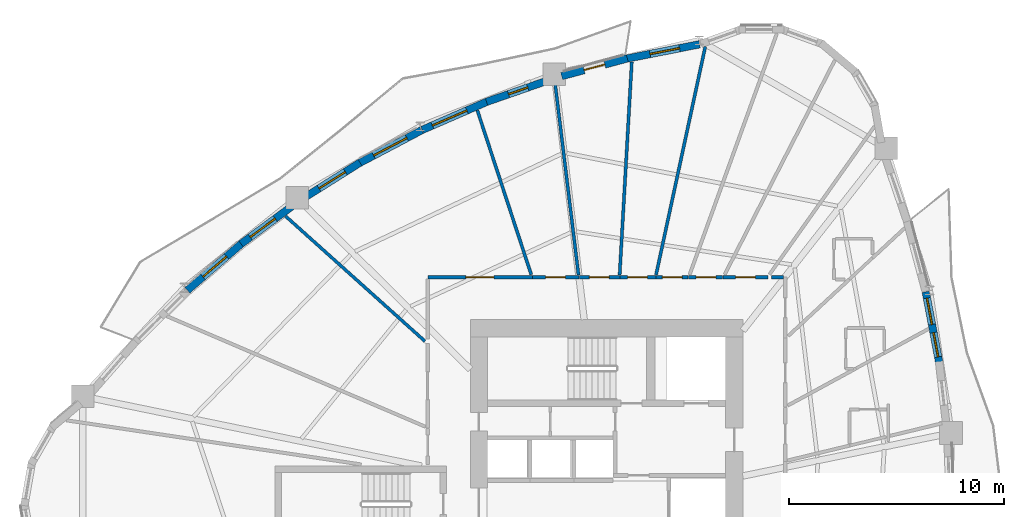
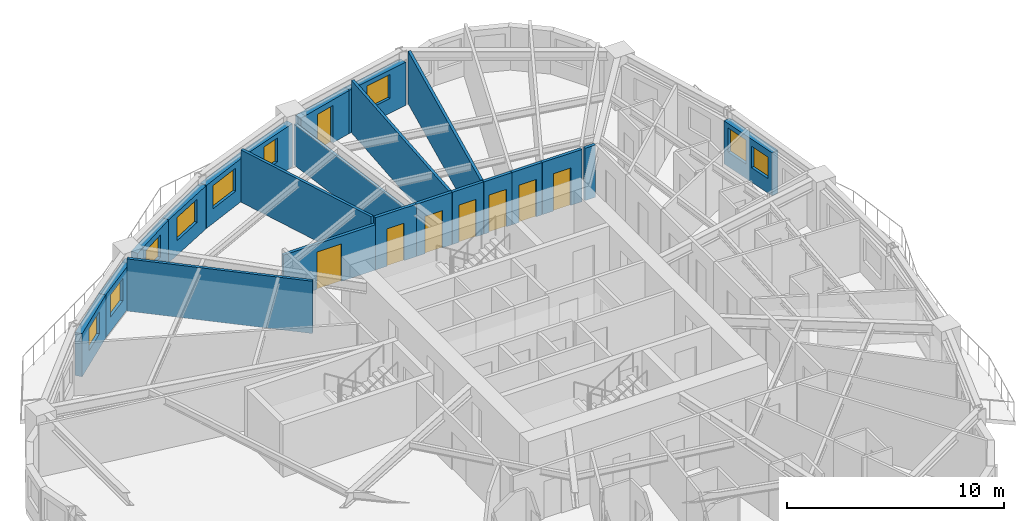
# One storey, part 8 of 14: 22 walls, 9 windows, 8 doors, 17 openings.
"""IFC4 building model written with IfcOpenShell, lengths in metres."""

from ifc_helpers import new_model, si_unit, direction, frame, frame_2d, origin, place, context, subcontext, project, spatial, rectangle, extrude, source, transform, mapped, material, layer, layer_set, type_object, element, fill, save


model = new_model("IFC4")

# Units and contexts
model_context = context("Model", 3, precision=1e-05, world=origin(), true_north=direction((0.0, 1.0)))
body_context = subcontext(model_context, "Body", "Model", "MODEL_VIEW")
ifc_project = project(units=[si_unit("LENGTHUNIT", "METRE"), si_unit("AREAUNIT", "SQUARE_METRE"), si_unit("VOLUMEUNIT", "CUBIC_METRE"), si_unit("PLANEANGLEUNIT", "RADIAN"), si_unit("MASSUNIT", "GRAM", prefix="KILO")], contexts=[model_context])

# Site, building, storey
site_placement = place(None, origin())
site = spatial("IfcSite", under=ifc_project, at=site_placement, CompositionType="ELEMENT")
building_placement = place(site_placement, origin())
building = spatial("IfcBuilding", under=site, at=building_placement, Name="Qafzar Sky-Pleat Residences", CompositionType="ELEMENT")
storey_placement = place(building_placement, frame((0.0, 0.0, 17.39990234375)))
storey = spatial("IfcBuildingStorey", under=building, at=storey_placement, Name="L04", CompositionType="ELEMENT", Elevation=17.39990234375)

# Wall, opening, door
ifc_material_1 = material(Name="Acoustic gypsum plasterboard partition", Category="gypsum")
ifc_layer_1 = layer(ifc_material_1, 0.159912109375)
ifc_layer_set_1 = layer_set([ifc_layer_1], Name="Acoustic gypsum plasterboard partition")
wall_type_1 = type_object("IfcWallType", Name="PART-COR-160", PredefinedType="PARTITIONING", material=ifc_layer_set_1)
wall_1_placement = place(storey_placement, frame((22.02001953125, 36.580078125, 0.0), z_axis=(0.0, 0.0, 1.0), x_axis=(1.0, 0.0, 0.0)))
wall_1 = element("IfcWall", 1, at=wall_1_placement, inside=storey, type_object=wall_type_1, Name="L04 Partition Wall PART-L04-PW-002", PredefinedType="PARTITIONING", context=body_context, shape_type="SweptSolid", body=[
    extrude(rectangle(XDim=4.8740234375, YDim=0.159912109375, at=frame_2d((2.43701171875, 0.0))), origin(), (0.0, 0.0, 1.0), 2.548095703125),
])
opening_1_placement = place(wall_1_placement, frame((1.779052734375, 0.0, 0.0)))
opening_1 = element("IfcOpeningElement", 2, at=opening_1_placement, cuts=wall_1, Name="Opening ID-05", PredefinedType="OPENING", context=body_context, shape_type="SweptSolid", body=[
    extrude(rectangle(XDim=1.300048828125, YDim=2.10009765625, at=frame_2d((0.64990234375, 1.050048828125))), frame((0.0, 0.08984375, 0.0), z_axis=(0.0, -1.0, 0.0), x_axis=(1.0, 0.0, 0.0)), (0.0, 0.0, 1.0), 0.179931640625),
])
ifc_material_2 = material(Name="Timber-faced fire door", Category="wood")
door_type_1 = type_object("IfcDoorType", Name="DR-LNG-1300", OperationType="DOUBLE_DOOR_SINGLE_SWING", PredefinedType="DOOR", material=ifc_material_2)
shared_shape_1 = source(origin(), body_context, "Body", "SweptSolid", [
    extrude(rectangle(XDim=1.300048828125, YDim=2.10009765625, at=frame_2d((0.64990234375, 1.050048828125))), frame((0.0, 0.02490234375, 0.0), z_axis=(0.0, -1.0, 0.0), x_axis=(1.0, 0.0, 0.0)), (0.0, 0.0, 1.0), 0.050048828125),
])
door_1_placement = place(opening_1_placement, origin())
door_1 = element("IfcDoor", 3, at=door_1_placement, inside=storey, type_object=door_type_1, Name="L04 Tutorial Huddle Room Door", OperationType="DOUBLE_DOOR_SINGLE_SWING", OverallHeight=2.10009765625, OverallWidth=1.300048828125, PredefinedType="DOOR", context=body_context, shape_type="MappedRepresentation", body=[
    mapped(shared_shape_1, transform((0.0, 0.0, 0.0), x_axis=(1.0, 0.0, 0.0), y_axis=(0.0, 1.0, 0.0), z_axis=(0.0, 0.0, 1.0), scale=1.0)),
])
fill(opening_1, door_1)

wall_2_placement = place(storey_placement, frame((26.908935546875, 36.580078125, 0.0), z_axis=(0.0, 0.0, 1.0), x_axis=(1.0, 0.0, 0.0)))
wall_2 = element("IfcWall", 4, at=wall_2_placement, inside=storey, type_object=wall_type_1, Name="L04 Partition Wall PART-L04-PW-016", PredefinedType="PARTITIONING", context=body_context, shape_type="SweptSolid", body=[
    extrude(rectangle(XDim=2.162109375, YDim=0.159912109375, at=frame_2d((1.0810546875, 0.0))), origin(), (0.0, 0.0, 1.0), 2.940185546875),
])
opening_2_placement = place(wall_2_placement, frame((0.597412109375, 0.0, 0.0)))
opening_2 = element("IfcOpeningElement", 5, at=opening_2_placement, cuts=wall_2, Name="Opening ID-04", PredefinedType="OPENING", context=body_context, shape_type="SweptSolid", body=[
    extrude(rectangle(XDim=0.919921875, YDim=2.10009765625, at=frame_2d((0.4599609375, 1.050048828125))), frame((0.0, 0.08984375, 0.0), z_axis=(0.0, -1.0, 0.0), x_axis=(1.0, 0.0, 0.0)), (0.0, 0.0, 1.0), 0.179931640625),
])
door_type_2 = type_object("IfcDoorType", Name="DR-BED-920", OperationType="NOTDEFINED", PredefinedType="DOOR", material=ifc_material_2)
shared_shape_2 = source(origin(), body_context, "Body", "SweptSolid", [
    extrude(rectangle(XDim=0.919921875, YDim=2.10009765625, at=frame_2d((0.4599609375, 1.050048828125))), frame((0.0, 0.02490234375, 0.0), z_axis=(0.0, -1.0, 0.0), x_axis=(1.0, 0.0, 0.0)), (0.0, 0.0, 1.0), 0.050048828125),
])
door_2_placement = place(opening_2_placement, origin())
door_2 = element("IfcDoor", 6, at=door_2_placement, inside=storey, type_object=door_type_2, Name="L04 Co-Living Bedroom 3 Door", OperationType="SINGLE_SWING_LEFT", OverallHeight=2.10009765625, OverallWidth=0.919921875, PredefinedType="DOOR", context=body_context, shape_type="MappedRepresentation", body=[
    mapped(shared_shape_2, transform((0.0, 0.0, 0.0), x_axis=(1.0, 0.0, 0.0), y_axis=(0.0, 1.0, 0.0), z_axis=(0.0, 0.0, 1.0), scale=1.0)),
])
fill(opening_2, door_2)

wall_3_placement = place(storey_placement, frame((35.77294921875, 36.580078125, 0.0), z_axis=(0.0, 0.0, 1.0), x_axis=(1.0, 0.0, 0.0)))
wall_3 = element("IfcWall", 7, at=wall_3_placement, inside=storey, type_object=wall_type_1, Name="L04 Partition Wall PART-L04-PW-017", PredefinedType="PARTITIONING", context=body_context, shape_type="SweptSolid", body=[
    extrude(rectangle(XDim=2.09716796875, YDim=0.159912109375, at=frame_2d((1.048583984375, 0.0))), origin(), (0.0, 0.0, 1.0), 2.940185546875),
])
opening_3_placement = place(wall_3_placement, frame((0.587890625, 0.0, 0.0)))
opening_3 = element("IfcOpeningElement", 8, at=opening_3_placement, cuts=wall_3, Name="Opening ID-04", PredefinedType="OPENING", context=body_context, shape_type="SweptSolid", body=[
    extrude(rectangle(XDim=0.919921875, YDim=2.10009765625, at=frame_2d((0.4599609375, 1.050048828125))), frame((0.0, 0.08984375, 0.0), z_axis=(0.0, -1.0, 0.0), x_axis=(1.0, 0.0, 0.0)), (0.0, 0.0, 1.0), 0.179931640625),
])
door_3_placement = place(opening_3_placement, origin())
door_3 = element("IfcDoor", 9, at=door_3_placement, inside=storey, type_object=door_type_2, Name="L04 Co-Living Bedroom 16 Door", OperationType="SINGLE_SWING_RIGHT", OverallHeight=2.10009765625, OverallWidth=0.919921875, PredefinedType="DOOR", context=body_context, shape_type="MappedRepresentation", body=[
    mapped(shared_shape_2, transform((0.0, 0.0, 0.0), x_axis=(1.0, 0.0, 0.0), y_axis=(0.0, 1.0, 0.0), z_axis=(0.0, 0.0, 1.0), scale=1.0)),
])
fill(opening_3, door_3)

wall_4_placement = place(storey_placement, frame((29.0859375, 36.580078125, 0.0), z_axis=(0.0, 0.0, 1.0), x_axis=(1.0, 0.0, 0.0)))
wall_4 = element("IfcWall", 10, at=wall_4_placement, inside=storey, type_object=wall_type_1, Name="L04 Partition Wall PART-L04-PW-026", PredefinedType="PARTITIONING", context=body_context, shape_type="SweptSolid", body=[
    extrude(rectangle(XDim=1.882080078125, YDim=0.159912109375, at=frame_2d((0.94091796875, 0.0))), origin(), (0.0, 0.0, 1.0), 2.940185546875),
])
opening_4_placement = place(wall_4_placement, frame((0.4580078125, 0.0, 0.0)))
opening_4 = element("IfcOpeningElement", 11, at=opening_4_placement, cuts=wall_4, Name="Opening ID-04", PredefinedType="OPENING", context=body_context, shape_type="SweptSolid", body=[
    extrude(rectangle(XDim=0.919921875, YDim=2.10009765625, at=frame_2d((0.4599609375, 1.050048828125))), frame((0.0, 0.08984375, 0.0), z_axis=(0.0, -1.0, 0.0), x_axis=(1.0, 0.0, 0.0)), (0.0, 0.0, 1.0), 0.179931640625),
])
door_4_placement = place(opening_4_placement, origin())
door_4 = element("IfcDoor", 12, at=door_4_placement, inside=storey, type_object=door_type_2, Name="L04 Co-Living Bedroom 4 Door", OperationType="SINGLE_SWING_LEFT", OverallHeight=2.10009765625, OverallWidth=0.919921875, PredefinedType="DOOR", context=body_context, shape_type="MappedRepresentation", body=[
    mapped(shared_shape_2, transform((0.0, 0.0, 0.0), x_axis=(1.0, 0.0, 0.0), y_axis=(0.0, 1.0, 0.0), z_axis=(0.0, 0.0, 1.0), scale=1.0)),
])
fill(opening_4, door_4)

wall_5_placement = place(storey_placement, frame((30.98291015625, 36.580078125, 0.0), z_axis=(0.0, 0.0, 1.0), x_axis=(1.0, 0.0, 0.0)))
wall_5 = element("IfcWall", 13, at=wall_5_placement, inside=storey, type_object=wall_type_1, Name="L04 Partition Wall PART-L04-PW-030", PredefinedType="PARTITIONING", context=body_context, shape_type="SweptSolid", body=[
    extrude(rectangle(XDim=1.6650390625, YDim=0.159912109375, at=frame_2d((0.83251953125, 0.0))), origin(), (0.0, 0.0, 1.0), 2.940185546875),
])
opening_5_placement = place(wall_5_placement, frame((0.35009765625, 0.0, 0.0)))
opening_5 = element("IfcOpeningElement", 14, at=opening_5_placement, cuts=wall_5, Name="Opening ID-04", PredefinedType="OPENING", context=body_context, shape_type="SweptSolid", body=[
    extrude(rectangle(XDim=0.919921875, YDim=2.10009765625, at=frame_2d((0.4599609375, 1.050048828125))), frame((0.0, 0.08984375, 0.0), z_axis=(0.0, -1.0, 0.0), x_axis=(1.0, 0.0, 0.0)), (0.0, 0.0, 1.0), 0.179931640625),
])
door_5_placement = place(opening_5_placement, origin())
door_5 = element("IfcDoor", 15, at=door_5_placement, inside=storey, type_object=door_type_2, Name="L04 Co-Living Bedroom 1 Door", OperationType="SINGLE_SWING_LEFT", OverallHeight=2.10009765625, OverallWidth=0.919921875, PredefinedType="DOOR", context=body_context, shape_type="MappedRepresentation", body=[
    mapped(shared_shape_2, transform((0.0, 0.0, 0.0), x_axis=(1.0, 0.0, 0.0), y_axis=(0.0, 1.0, 0.0), z_axis=(0.0, 0.0, 1.0), scale=1.0)),
])
fill(opening_5, door_5)

wall_6_placement = place(storey_placement, frame((34.162109375, 36.580078125, 0.0), z_axis=(0.0, 0.0, 1.0), x_axis=(1.0, 0.0, 0.0)))
wall_6 = element("IfcWall", 16, at=wall_6_placement, inside=storey, type_object=wall_type_1, Name="L04 Partition Wall PART-L04-PW-032", PredefinedType="PARTITIONING", context=body_context, shape_type="SweptSolid", body=[
    extrude(rectangle(XDim=1.595947265625, YDim=0.159912109375, at=frame_2d((0.7978515625, 0.0))), origin(), (0.0, 0.0, 1.0), 2.940185546875),
])
opening_6_placement = place(wall_6_placement, frame((0.362060546875, 0.0, 0.0)))
opening_6 = element("IfcOpeningElement", 17, at=opening_6_placement, cuts=wall_6, Name="Opening ID-04", PredefinedType="OPENING", context=body_context, shape_type="SweptSolid", body=[
    extrude(rectangle(XDim=0.919921875, YDim=2.10009765625, at=frame_2d((0.4599609375, 1.050048828125))), frame((0.0, 0.08984375, 0.0), z_axis=(0.0, -1.0, 0.0), x_axis=(1.0, 0.0, 0.0)), (0.0, 0.0, 1.0), 0.179931640625),
])
door_6_placement = place(opening_6_placement, origin())
door_6 = element("IfcDoor", 18, at=door_6_placement, inside=storey, type_object=door_type_2, Name="L04 Co-Living Bedroom 15 Door", OperationType="SINGLE_SWING_LEFT", OverallHeight=2.10009765625, OverallWidth=0.919921875, PredefinedType="DOOR", context=body_context, shape_type="MappedRepresentation", body=[
    mapped(shared_shape_2, transform((0.0, 0.0, 0.0), x_axis=(1.0, 0.0, 0.0), y_axis=(0.0, 1.0, 0.0), z_axis=(0.0, 0.0, 1.0), scale=1.0)),
])
fill(opening_6, door_6)

wall_7_placement = place(storey_placement, frame((32.6630859375, 36.580078125, 0.0), z_axis=(0.0, 0.0, 1.0), x_axis=(1.0, 0.0, 0.0)))
wall_7 = element("IfcWall", 19, at=wall_7_placement, inside=storey, type_object=wall_type_1, Name="L04 Partition Wall PART-L04-PW-033", PredefinedType="PARTITIONING", context=body_context, shape_type="SweptSolid", body=[
    extrude(rectangle(XDim=1.48388671875, YDim=0.159912109375, at=frame_2d((0.741943359375, 0.0))), origin(), (0.0, 0.0, 1.0), 2.940185546875),
])
opening_7_placement = place(wall_7_placement, frame((0.282470703125, 0.0, 0.0)))
opening_7 = element("IfcOpeningElement", 20, at=opening_7_placement, cuts=wall_7, Name="Opening ID-04", PredefinedType="OPENING", context=body_context, shape_type="SweptSolid", body=[
    extrude(rectangle(XDim=0.919921875, YDim=2.10009765625, at=frame_2d((0.4599609375, 1.050048828125))), frame((0.0, 0.08984375, 0.0), z_axis=(0.0, -1.0, 0.0), x_axis=(1.0, 0.0, 0.0)), (0.0, 0.0, 1.0), 0.179931640625),
])
door_7_placement = place(opening_7_placement, origin())
door_7 = element("IfcDoor", 21, at=door_7_placement, inside=storey, type_object=door_type_2, Name="L04 Co-Living Bedroom 2 Door", OperationType="SINGLE_SWING_RIGHT", OverallHeight=2.10009765625, OverallWidth=0.919921875, PredefinedType="DOOR", context=body_context, shape_type="MappedRepresentation", body=[
    mapped(shared_shape_2, transform((0.0, 0.0, 0.0), x_axis=(1.0, 0.0, 0.0), y_axis=(0.0, 1.0, 0.0), z_axis=(0.0, 0.0, 1.0), scale=1.0)),
])
fill(opening_7, door_7)

# Walls
wall_8_placement = place(storey_placement, frame((38.03857421875, 36.580078125, 0.0), z_axis=(0.0, 0.0, 1.0), x_axis=(1.0, 0.0, 0.0)))
element("IfcWall", 22, at=wall_8_placement, inside=storey, type_object=wall_type_1, Name="L04 Partition Wall PART-L04-PW-098", PredefinedType="PARTITIONING", context=body_context, shape_type="SweptSolid", body=[
    extrude(rectangle(XDim=0.553466796875, YDim=0.159912109375, at=frame_2d((0.27685546875, 0.0))), origin(), (0.0, 0.0, 1.0), 2.940185546875),
])
ifc_layer_2 = layer(ifc_material_1, 0.14501953125)
ifc_layer_set_2 = layer_set([ifc_layer_2], Name="Acoustic gypsum plasterboard partition")
wall_type_2 = type_object("IfcWallType", Name="PART-UNIT-145", PredefinedType="PARTITIONING", material=ifc_layer_set_2)
wall_9_placement = place(storey_placement, frame((32.6552734375, 36.68310546875, 0.0), z_axis=(0.0, 0.0, 1.0), x_axis=(0.210861831441, 0.977515876107, 0.0)))
element("IfcWall", 23, at=wall_9_placement, inside=storey, type_object=wall_type_2, Name="L04 Partition Wall PART-L04-PW-038", PredefinedType="PARTITIONING", context=body_context, shape_type="SweptSolid", body=[
    extrude(rectangle(XDim=10.88232421875, YDim=0.14501953125, at=frame_2d((5.441162109375, 0.0))), origin(), (0.0, 0.0, 1.0), 2.940185546875),
])
wall_10_placement = place(storey_placement, frame((30.958251953125, 36.672119140625, 0.0), z_axis=(0.0, 0.0, 1.0), x_axis=(0.056976385457, 0.998375526293, 0.0)))
element("IfcWall", 24, at=wall_10_placement, inside=storey, type_object=wall_type_2, Name="L04 Partition Wall PART-L04-PW-039", PredefinedType="PARTITIONING", context=body_context, shape_type="SweptSolid", body=[
    extrude(rectangle(XDim=9.9453125, YDim=0.14501953125, at=frame_2d((4.97265625, 0.0))), origin(), (0.0, 0.0, 1.0), 2.940185546875),
])
wall_11_placement = place(storey_placement, frame((27.94189453125, 45.679931640625, 0.0), z_axis=(0.0, 0.0, 1.0), x_axis=(0.12142050141, -0.992601159498, 0.0)))
element("IfcWall", 25, at=wall_11_placement, inside=storey, type_object=wall_type_2, Name="L04 Partition Wall PART-L04-PW-041", PredefinedType="PARTITIONING", context=body_context, shape_type="SweptSolid", body=[
    extrude(rectangle(XDim=9.0703125, YDim=0.14501953125, at=frame_2d((4.53515625, 0.0))), origin(), (0.0, 0.0, 1.0), 2.30810546875),
])
wall_12_placement = place(storey_placement, frame((15.397705078125, 39.416748046875, 0.0), z_axis=(0.0, 0.0, 1.0), x_axis=(0.744248709075, -0.667902581998, 0.0)))
element("IfcWall", 26, at=wall_12_placement, inside=storey, type_object=wall_type_2, Name="L04 Partition Wall PART-L04-PW-042", PredefinedType="PARTITIONING", context=body_context, shape_type="SweptSolid", body=[
    extrude(rectangle(XDim=8.71728515625, YDim=0.14501953125, at=frame_2d((4.358642578125, 0.0))), origin(), (0.0, 0.0, 1.0), 2.940185546875),
])
wall_13_placement = place(storey_placement, frame((24.329833984375, 44.34716796875, 0.0), z_axis=(0.0, 0.0, 1.0), x_axis=(0.311716142238, -0.950175271552, 0.0)))
element("IfcWall", 27, at=wall_13_placement, inside=storey, type_object=wall_type_2, Name="L04 Partition Wall PART-L04-PW-044", PredefinedType="PARTITIONING", context=body_context, shape_type="SweptSolid", body=[
    extrude(rectangle(XDim=8.05859375, YDim=0.14501953125, at=frame_2d((4.029296875, 0.0))), origin(), (0.0, 0.0, 1.0), 2.940185546875),
])

# Wall, openings, windows
ifc_material_3 = material(Name="Precast concrete C40/50 with honed Riyadh limestone", Category="concrete")
ifc_layer_3 = layer(ifc_material_3, 0.35009765625)
ifc_layer_set_3 = layer_set([ifc_layer_3], Name="Precast concrete C40/50 with honed Riyadh limestone")
wall_type_3 = type_object("IfcWallType", Name="WALL-EXT-350", PredefinedType="SOLIDWALL", material=ifc_layer_set_3)
wall_14_placement = place(storey_placement, frame((45.85400390625, 32.56201171875, 0.0), z_axis=(0.0, 0.0, 1.0), x_axis=(-0.186698837055, 0.982417194598, 0.0)))
wall_14 = element("IfcWall", 28, at=wall_14_placement, inside=storey, type_object=wall_type_3, Name="L04 Limestone Facade Wall 30", PredefinedType="SOLIDWALL", context=body_context, shape_type="SweptSolid", body=[
    extrude(rectangle(XDim=3.393310546875, YDim=0.35009765625, at=frame_2d((1.69677734375, 0.0))), origin(), (0.0, 0.0, 1.0), 2.420166015625),
])
opening_8_placement = place(wall_14_placement, frame((0.3046875, 0.0, 0.820068359375)))
opening_8 = element("IfcOpeningElement", 29, at=opening_8_placement, cuts=wall_14, Name="Opening WN-16", PredefinedType="OPENING", context=body_context, shape_type="SweptSolid", body=[
    extrude(rectangle(XDim=1.14990234375, YDim=1.199951171875, at=frame_2d((0.574951171875, 0.60009765625))), frame((0.0, 0.18505859375, 0.0), z_axis=(0.0, -1.0, 0.0), x_axis=(1.0, 0.0, 0.0)), (0.0, 0.0, 1.0), 0.3701171875),
])
opening_9_placement = place(wall_14_placement, frame((1.841552734375, 0.0, 0.820068359375)))
opening_9 = element("IfcOpeningElement", 30, at=opening_9_placement, cuts=wall_14, Name="Opening WN-11", PredefinedType="OPENING", context=body_context, shape_type="SweptSolid", body=[
    extrude(rectangle(XDim=1.25, YDim=1.35009765625, at=frame_2d((0.625, 0.675048828125))), frame((0.0, 0.18505859375, 0.0), z_axis=(0.0, -1.0, 0.0), x_axis=(1.0, 0.0, 0.0)), (0.0, 0.0, 1.0), 0.3701171875),
])
ifc_material_4 = material(Name="Solar-control low-E glass in bronze aluminium frame", Category="glass")
window_type_1 = type_object("IfcWindowType", Name="WIN-11", PartitioningType="SINGLE_PANEL", PredefinedType="WINDOW", material=ifc_material_4)
shared_shape_3 = source(origin(), body_context, "Body", "SweptSolid", [
    extrude(rectangle(XDim=1.25, YDim=1.35009765625, at=frame_2d((0.625, 0.675048828125))), frame((0.0, 0.030029296875, 0.0), z_axis=(0.0, -1.0, 0.0), x_axis=(1.0, 0.0, 0.0)), (0.0, 0.0, 1.0), 0.06005859375),
])
window_1_placement = place(opening_9_placement, origin())
window_1 = element("IfcWindow", 31, at=window_1_placement, inside=storey, type_object=window_type_1, Name="L04 Punched Facade Window 30-2", OverallHeight=1.35009765625, OverallWidth=1.25, PartitioningType="SINGLE_PANEL", PredefinedType="WINDOW", context=body_context, shape_type="MappedRepresentation", body=[
    mapped(shared_shape_3, transform((0.0, 0.0, 0.0), x_axis=(1.0, 0.0, 0.0), y_axis=(0.0, 1.0, 0.0), z_axis=(0.0, 0.0, 1.0), scale=1.0)),
])
fill(opening_9, window_1)
window_type_2 = type_object("IfcWindowType", Name="WIN-16", PartitioningType="SINGLE_PANEL", PredefinedType="WINDOW", material=ifc_material_4)
shared_shape_4 = source(origin(), body_context, "Body", "SweptSolid", [
    extrude(rectangle(XDim=1.14990234375, YDim=1.199951171875, at=frame_2d((0.574951171875, 0.60009765625))), frame((0.0, 0.030029296875, 0.0), z_axis=(0.0, -1.0, 0.0), x_axis=(1.0, 0.0, 0.0)), (0.0, 0.0, 1.0), 0.06005859375),
])
window_2_placement = place(opening_8_placement, origin())
window_2 = element("IfcWindow", 32, at=window_2_placement, inside=storey, type_object=window_type_2, Name="L04 Punched Facade Window 30", OverallHeight=1.199951171875, OverallWidth=1.14990234375, PartitioningType="SINGLE_PANEL", PredefinedType="WINDOW", context=body_context, shape_type="MappedRepresentation", body=[
    mapped(shared_shape_4, transform((0.0, 0.0, 0.0), x_axis=(1.0, 0.0, 0.0), y_axis=(0.0, 1.0, 0.0), z_axis=(0.0, 0.0, 1.0), scale=1.0)),
])
fill(opening_8, window_2)

# Wall, opening, window
wall_15_placement = place(storey_placement, frame((34.6865234375, 47.427490234375, 0.0), z_axis=(0.0, 0.0, 1.0), x_axis=(-0.981220485855, -0.192889497219, 0.0)))
wall_15 = element("IfcWall", 33, at=wall_15_placement, inside=storey, type_object=wall_type_3, Name="L04 Limestone Facade Wall 39", PredefinedType="SOLIDWALL", context=body_context, shape_type="SweptSolid", body=[
    extrude(rectangle(XDim=3.5224609375, YDim=0.35009765625, at=frame_2d((1.76123046875, 0.0))), origin(), (0.0, 0.0, 1.0), 2.420166015625),
])
opening_10_placement = place(wall_15_placement, frame((0.9560546875, 0.0, 0.820068359375)))
opening_10 = element("IfcOpeningElement", 34, at=opening_10_placement, cuts=wall_15, Name="Opening WN-10", PredefinedType="OPENING", context=body_context, shape_type="SweptSolid", body=[
    extrude(rectangle(XDim=1.39990234375, YDim=1.35009765625, at=frame_2d((0.699951171875, 0.675048828125))), frame((0.0, 0.18505859375, 0.0), z_axis=(0.0, -1.0, 0.0), x_axis=(1.0, 0.0, 0.0)), (0.0, 0.0, 1.0), 0.3701171875),
])
window_type_3 = type_object("IfcWindowType", Name="WIN-10", PartitioningType="SINGLE_PANEL", PredefinedType="WINDOW", material=ifc_material_4)
shared_shape_5 = source(origin(), body_context, "Body", "SweptSolid", [
    extrude(rectangle(XDim=1.39990234375, YDim=1.35009765625, at=frame_2d((0.699951171875, 0.675048828125))), frame((0.0, 0.030029296875, 0.0), z_axis=(0.0, -1.0, 0.0), x_axis=(1.0, 0.0, 0.0)), (0.0, 0.0, 1.0), 0.06005859375),
])
window_3_placement = place(opening_10_placement, origin())
window_3 = element("IfcWindow", 35, at=window_3_placement, inside=storey, type_object=window_type_3, Name="L04 Punched Facade Window 39", OverallHeight=1.35009765625, OverallWidth=1.39990234375, PartitioningType="SINGLE_PANEL", PredefinedType="WINDOW", context=body_context, shape_type="MappedRepresentation", body=[
    mapped(shared_shape_5, transform((0.0, 0.0, 0.0), x_axis=(1.0, 0.0, 0.0), y_axis=(0.0, 1.0, 0.0), z_axis=(0.0, 0.0, 1.0), scale=1.0)),
])
fill(opening_10, window_3)

# Wall, opening, door
wall_16_placement = place(storey_placement, frame((31.31591796875, 46.76806640625, 0.0), z_axis=(0.0, 0.0, 1.0), x_axis=(-0.965446721184, -0.260600515261, 0.0)))
wall_16 = element("IfcWall", 36, at=wall_16_placement, inside=storey, type_object=wall_type_3, Name="L04 Limestone Facade Wall 40", PredefinedType="SOLIDWALL", context=body_context, shape_type="SweptSolid", body=[
    extrude(rectangle(XDim=3.16943359375, YDim=0.35009765625, at=frame_2d((1.584716796875, 0.0))), origin(), (0.0, 0.0, 1.0), 2.420166015625),
])
opening_11_placement = place(wall_16_placement, frame((1.084716796875, 0.0, 0.0)))
opening_11 = element("IfcOpeningElement", 37, at=opening_11_placement, cuts=wall_16, Name="Opening ED-05", PredefinedType="OPENING", context=body_context, shape_type="SweptSolid", body=[
    extrude(rectangle(XDim=1.0, YDim=2.10009765625, at=frame_2d((0.5, 1.050048828125))), frame((0.0, 0.18505859375, 0.0), z_axis=(0.0, -1.0, 0.0), x_axis=(1.0, 0.0, 0.0)), (0.0, 0.0, 1.0), 0.3701171875),
])
ifc_material_5 = material(Name="Glazed bronze aluminium door", Category="aluminium")
door_type_3 = type_object("IfcDoorType", Name="DR-BAL-1000", OperationType="NOTDEFINED", PredefinedType="DOOR", material=ifc_material_5)
shared_shape_6 = source(origin(), body_context, "Body", "SweptSolid", [
    extrude(rectangle(XDim=1.0, YDim=2.10009765625, at=frame_2d((0.5, 1.050048828125))), frame((0.0, 0.02490234375, 0.0), z_axis=(0.0, -1.0, 0.0), x_axis=(1.0, 0.0, 0.0)), (0.0, 0.0, 1.0), 0.050048828125),
])
door_8_placement = place(opening_11_placement, origin())
door_8 = element("IfcDoor", 38, at=door_8_placement, inside=storey, type_object=door_type_3, Name="L04 Glazed Balcony Door 2", OperationType="SINGLE_SWING_LEFT", OverallHeight=2.10009765625, OverallWidth=1.0, PredefinedType="DOOR", context=body_context, shape_type="MappedRepresentation", body=[
    mapped(shared_shape_6, transform((0.0, 0.0, 0.0), x_axis=(1.0, 0.0, 0.0), y_axis=(0.0, 1.0, 0.0), z_axis=(0.0, 0.0, 1.0), scale=1.0)),
])
fill(opening_11, door_8)

# Wall, opening, window
wall_17_placement = place(storey_placement, frame((27.6953125, 45.768798828125, 0.0), z_axis=(0.0, 0.0, 1.0), x_axis=(-0.94414288081, -0.329536372221, 0.0)))
wall_17 = element("IfcWall", 39, at=wall_17_placement, inside=storey, type_object=wall_type_3, Name="L04 Limestone Facade Wall 41", PredefinedType="SOLIDWALL", context=body_context, shape_type="SweptSolid", body=[
    extrude(rectangle(XDim=3.113037109375, YDim=0.35009765625, at=frame_2d((1.556640625, 0.0))), origin(), (0.0, 0.0, 1.0), 2.420166015625),
])
opening_12_placement = place(wall_17_placement, frame((1.07666015625, 0.0, 0.820068359375)))
opening_12 = element("IfcOpeningElement", 40, at=opening_12_placement, cuts=wall_17, Name="Opening WN-12", PredefinedType="OPENING", context=body_context, shape_type="SweptSolid", body=[
    extrude(rectangle(XDim=0.949951171875, YDim=1.35009765625, at=frame_2d((0.47509765625, 0.675048828125))), frame((0.0, 0.18505859375, 0.0), z_axis=(0.0, -1.0, 0.0), x_axis=(1.0, 0.0, 0.0)), (0.0, 0.0, 1.0), 0.3701171875),
])
window_type_4 = type_object("IfcWindowType", Name="WIN-12", PartitioningType="SINGLE_PANEL", PredefinedType="WINDOW", material=ifc_material_4)
shared_shape_7 = source(origin(), body_context, "Body", "SweptSolid", [
    extrude(rectangle(XDim=0.949951171875, YDim=1.35009765625, at=frame_2d((0.47509765625, 0.675048828125))), frame((0.0, 0.030029296875, 0.0), z_axis=(0.0, -1.0, 0.0), x_axis=(1.0, 0.0, 0.0)), (0.0, 0.0, 1.0), 0.06005859375),
])
window_4_placement = place(opening_12_placement, origin())
window_4 = element("IfcWindow", 41, at=window_4_placement, inside=storey, type_object=window_type_4, Name="L04 Punched Facade Window 41", OverallHeight=1.35009765625, OverallWidth=0.949951171875, PartitioningType="SINGLE_PANEL", PredefinedType="WINDOW", context=body_context, shape_type="MappedRepresentation", body=[
    mapped(shared_shape_7, transform((0.0, 0.0, 0.0), x_axis=(1.0, 0.0, 0.0), y_axis=(0.0, 1.0, 0.0), z_axis=(0.0, 0.0, 1.0), scale=1.0)),
])
fill(opening_12, window_4)

wall_18_placement = place(storey_placement, frame((24.8388671875, 44.775390625, 0.0), z_axis=(0.0, 0.0, 1.0), x_axis=(-0.917081622701, -0.398699507529, 0.0)))
wall_18 = element("IfcWall", 42, at=wall_18_placement, inside=storey, type_object=wall_type_3, Name="L04 Limestone Facade Wall 42", PredefinedType="SOLIDWALL", context=body_context, shape_type="SweptSolid", body=[
    extrude(rectangle(XDim=3.355712890625, YDim=0.35009765625, at=frame_2d((1.677734375, 0.0))), origin(), (0.0, 0.0, 1.0), 2.420166015625),
])
opening_13_placement = place(wall_18_placement, frame((1.090576171875, 0.0, 0.820068359375)))
opening_13 = element("IfcOpeningElement", 43, at=opening_13_placement, cuts=wall_18, Name="Opening WN-14", PredefinedType="OPENING", context=body_context, shape_type="SweptSolid", body=[
    extrude(rectangle(XDim=1.75, YDim=1.300048828125, at=frame_2d((0.875, 0.64990234375))), frame((0.0, 0.18505859375, 0.0), z_axis=(0.0, -1.0, 0.0), x_axis=(1.0, 0.0, 0.0)), (0.0, 0.0, 1.0), 0.3701171875),
])
window_type_5 = type_object("IfcWindowType", Name="WIN-14", PartitioningType="DOUBLE_PANEL_VERTICAL", PredefinedType="WINDOW", material=ifc_material_4)
shared_shape_8 = source(origin(), body_context, "Body", "SweptSolid", [
    extrude(rectangle(XDim=1.75, YDim=1.300048828125, at=frame_2d((0.875, 0.64990234375))), frame((0.0, 0.030029296875, 0.0), z_axis=(0.0, -1.0, 0.0), x_axis=(1.0, 0.0, 0.0)), (0.0, 0.0, 1.0), 0.06005859375),
])
window_5_placement = place(opening_13_placement, origin())
window_5 = element("IfcWindow", 44, at=window_5_placement, inside=storey, type_object=window_type_5, Name="L04 Punched Facade Window 42-2", OverallHeight=1.300048828125, OverallWidth=1.75, PartitioningType="SINGLE_PANEL", PredefinedType="WINDOW", context=body_context, shape_type="MappedRepresentation", body=[
    mapped(shared_shape_8, transform((0.0, 0.0, 0.0), x_axis=(1.0, 0.0, 0.0), y_axis=(0.0, 1.0, 0.0), z_axis=(0.0, 0.0, 1.0), scale=1.0)),
])
fill(opening_13, window_5)

wall_19_placement = place(storey_placement, frame((21.7373046875, 43.42578125, 0.0), z_axis=(0.0, 0.0, 1.0), x_axis=(-0.884406567815, -0.466717283595, 0.0)))
wall_19 = element("IfcWall", 45, at=wall_19_placement, inside=storey, type_object=wall_type_3, Name="L04 Limestone Facade Wall 43", PredefinedType="SOLIDWALL", context=body_context, shape_type="SweptSolid", body=[
    extrude(rectangle(XDim=3.33642578125, YDim=0.35009765625, at=frame_2d((1.668212890625, 0.0))), origin(), (0.0, 0.0, 1.0), 2.420166015625),
])
opening_14_placement = place(wall_19_placement, frame((0.783203125, 0.0, 0.820068359375)))
opening_14 = element("IfcOpeningElement", 46, at=opening_14_placement, cuts=wall_19, Name="Opening WN-14", PredefinedType="OPENING", context=body_context, shape_type="SweptSolid", body=[
    extrude(rectangle(XDim=1.75, YDim=1.300048828125, at=frame_2d((0.875, 0.64990234375))), frame((0.0, 0.18505859375, 0.0), z_axis=(0.0, -1.0, 0.0), x_axis=(1.0, 0.0, 0.0)), (0.0, 0.0, 1.0), 0.3701171875),
])
window_6_placement = place(opening_14_placement, origin())
window_6 = element("IfcWindow", 47, at=window_6_placement, inside=storey, type_object=window_type_5, Name="L04 Punched Facade Window 43", OverallHeight=1.300048828125, OverallWidth=1.75, PartitioningType="SINGLE_PANEL", PredefinedType="WINDOW", context=body_context, shape_type="MappedRepresentation", body=[
    mapped(shared_shape_8, transform((0.0, 0.0, 0.0), x_axis=(1.0, 0.0, 0.0), y_axis=(0.0, 1.0, 0.0), z_axis=(0.0, 0.0, 1.0), scale=1.0)),
])
fill(opening_14, window_6)

wall_20_placement = place(storey_placement, frame((18.864013671875, 41.9130859375, 0.0), z_axis=(0.0, 0.0, 1.0), x_axis=(-0.84643287852, -0.532495429239, 0.0)))
wall_20 = element("IfcWall", 48, at=wall_20_placement, inside=storey, type_object=wall_type_3, Name="L04 Limestone Facade Wall 44", PredefinedType="SOLIDWALL", context=body_context, shape_type="SweptSolid", body=[
    extrude(rectangle(XDim=3.05615234375, YDim=0.35009765625, at=frame_2d((1.528076171875, 0.0))), origin(), (0.0, 0.0, 1.0), 2.420166015625),
])
opening_15_placement = place(wall_20_placement, frame((0.80810546875, 0.0, 0.820068359375)))
opening_15 = element("IfcOpeningElement", 49, at=opening_15_placement, cuts=wall_20, Name="Opening WN-15", PredefinedType="OPENING", context=body_context, shape_type="SweptSolid", body=[
    extrude(rectangle(XDim=1.449951171875, YDim=1.25, at=frame_2d((0.72509765625, 0.625))), frame((0.0, 0.18505859375, 0.0), z_axis=(0.0, -1.0, 0.0), x_axis=(1.0, 0.0, 0.0)), (0.0, 0.0, 1.0), 0.3701171875),
])
window_type_6 = type_object("IfcWindowType", Name="WIN-15", PartitioningType="SINGLE_PANEL", PredefinedType="WINDOW", material=ifc_material_4)
shared_shape_9 = source(origin(), body_context, "Body", "SweptSolid", [
    extrude(rectangle(XDim=1.449951171875, YDim=1.25, at=frame_2d((0.72509765625, 0.625))), frame((0.0, 0.030029296875, 0.0), z_axis=(0.0, -1.0, 0.0), x_axis=(1.0, 0.0, 0.0)), (0.0, 0.0, 1.0), 0.06005859375),
])
window_7_placement = place(opening_15_placement, origin())
window_7 = element("IfcWindow", 50, at=window_7_placement, inside=storey, type_object=window_type_6, Name="L04 Punched Facade Window 44", OverallHeight=1.25, OverallWidth=1.449951171875, PartitioningType="SINGLE_PANEL", PredefinedType="WINDOW", context=body_context, shape_type="MappedRepresentation", body=[
    mapped(shared_shape_9, transform((0.0, 0.0, 0.0), x_axis=(1.0, 0.0, 0.0), y_axis=(0.0, 1.0, 0.0), z_axis=(0.0, 0.0, 1.0), scale=1.0)),
])
fill(opening_15, window_7)

wall_21_placement = place(storey_placement, frame((15.79296875, 39.954833984375, 0.0), z_axis=(0.0, 0.0, 1.0), x_axis=(-0.803813051054, -0.594881987419, 0.0)))
wall_21 = element("IfcWall", 51, at=wall_21_placement, inside=storey, type_object=wall_type_3, Name="L04 Limestone Facade Wall 45", PredefinedType="SOLIDWALL", context=body_context, shape_type="SweptSolid", body=[
    extrude(rectangle(XDim=3.075439453125, YDim=0.35009765625, at=frame_2d((1.53759765625, 0.0))), origin(), (0.0, 0.0, 1.0), 2.420166015625),
])
opening_16_placement = place(wall_21_placement, frame((1.09521484375, 0.0, 0.820068359375)))
opening_16 = element("IfcOpeningElement", 52, at=opening_16_placement, cuts=wall_21, Name="Opening WN-15", PredefinedType="OPENING", context=body_context, shape_type="SweptSolid", body=[
    extrude(rectangle(XDim=1.449951171875, YDim=1.25, at=frame_2d((0.72509765625, 0.625))), frame((0.0, 0.18505859375, 0.0), z_axis=(0.0, -1.0, 0.0), x_axis=(1.0, 0.0, 0.0)), (0.0, 0.0, 1.0), 0.3701171875),
])
window_8_placement = place(opening_16_placement, origin())
window_8 = element("IfcWindow", 53, at=window_8_placement, inside=storey, type_object=window_type_6, Name="L04 Punched Facade Window 45-2", OverallHeight=1.25, OverallWidth=1.449951171875, PartitioningType="SINGLE_PANEL", PredefinedType="WINDOW", context=body_context, shape_type="MappedRepresentation", body=[
    mapped(shared_shape_9, transform((0.0, 0.0, 0.0), x_axis=(1.0, 0.0, 0.0), y_axis=(0.0, 1.0, 0.0), z_axis=(0.0, 0.0, 1.0), scale=1.0)),
])
fill(opening_16, window_8)

wall_22_placement = place(storey_placement, frame((13.39013671875, 38.180908203125, 0.0), z_axis=(0.0, 0.0, 1.0), x_axis=(-0.757476213352, -0.652862762153, 0.0)))
wall_22 = element("IfcWall", 54, at=wall_22_placement, inside=storey, type_object=wall_type_3, Name="L04 Limestone Facade Wall 46", PredefinedType="SOLIDWALL", context=body_context, shape_type="SweptSolid", body=[
    extrude(rectangle(XDim=3.393310546875, YDim=0.35009765625, at=frame_2d((1.69677734375, 0.0))), origin(), (0.0, 0.0, 1.0), 2.420166015625),
])
opening_17_placement = place(wall_22_placement, frame((0.981689453125, 0.0, 0.820068359375)))
opening_17 = element("IfcOpeningElement", 55, at=opening_17_placement, cuts=wall_22, Name="Opening WN-15", PredefinedType="OPENING", context=body_context, shape_type="SweptSolid", body=[
    extrude(rectangle(XDim=1.449951171875, YDim=1.25, at=frame_2d((0.72509765625, 0.625))), frame((0.0, 0.18505859375, 0.0), z_axis=(0.0, -1.0, 0.0), x_axis=(1.0, 0.0, 0.0)), (0.0, 0.0, 1.0), 0.3701171875),
])
window_9_placement = place(opening_17_placement, origin())
window_9 = element("IfcWindow", 56, at=window_9_placement, inside=storey, type_object=window_type_6, Name="L04 Punched Facade Window 46", OverallHeight=1.25, OverallWidth=1.449951171875, PartitioningType="SINGLE_PANEL", PredefinedType="WINDOW", context=body_context, shape_type="MappedRepresentation", body=[
    mapped(shared_shape_9, transform((0.0, 0.0, 0.0), x_axis=(1.0, 0.0, 0.0), y_axis=(0.0, 1.0, 0.0), z_axis=(0.0, 0.0, 1.0), scale=1.0)),
])
fill(opening_17, window_9)

save(model, "model.ifc")
